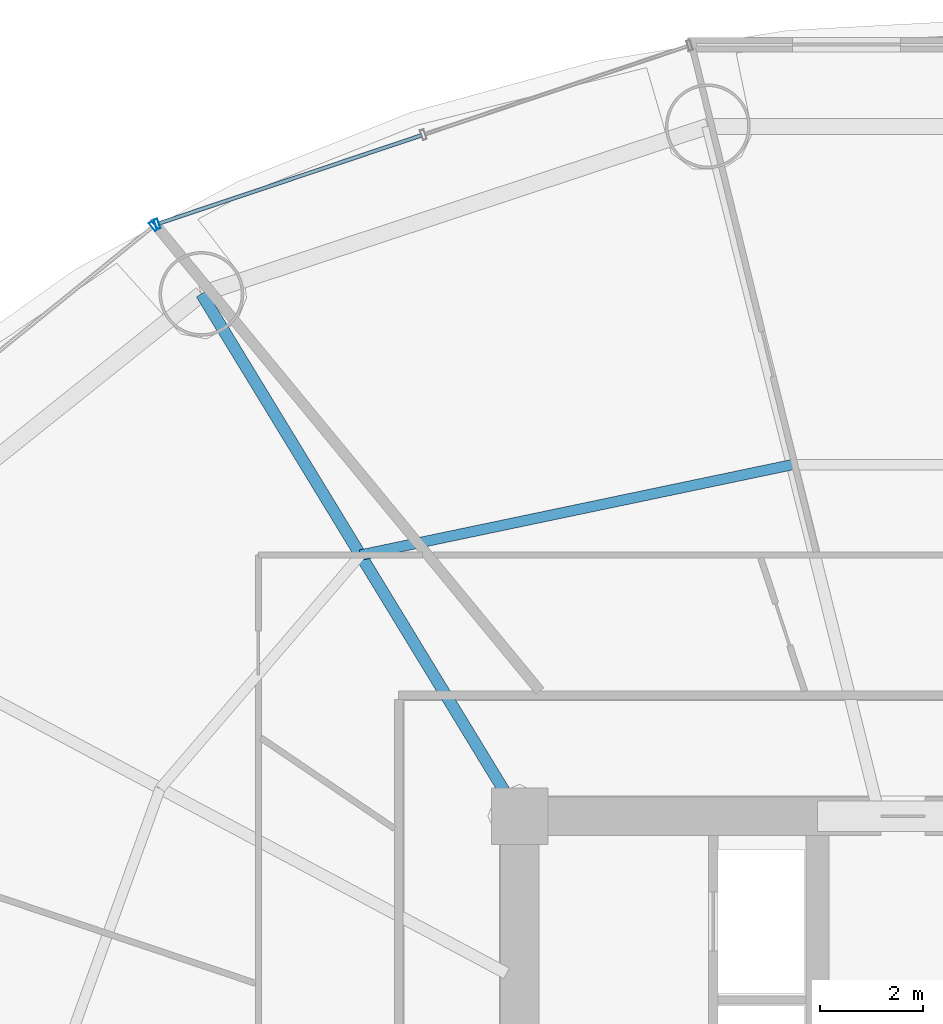
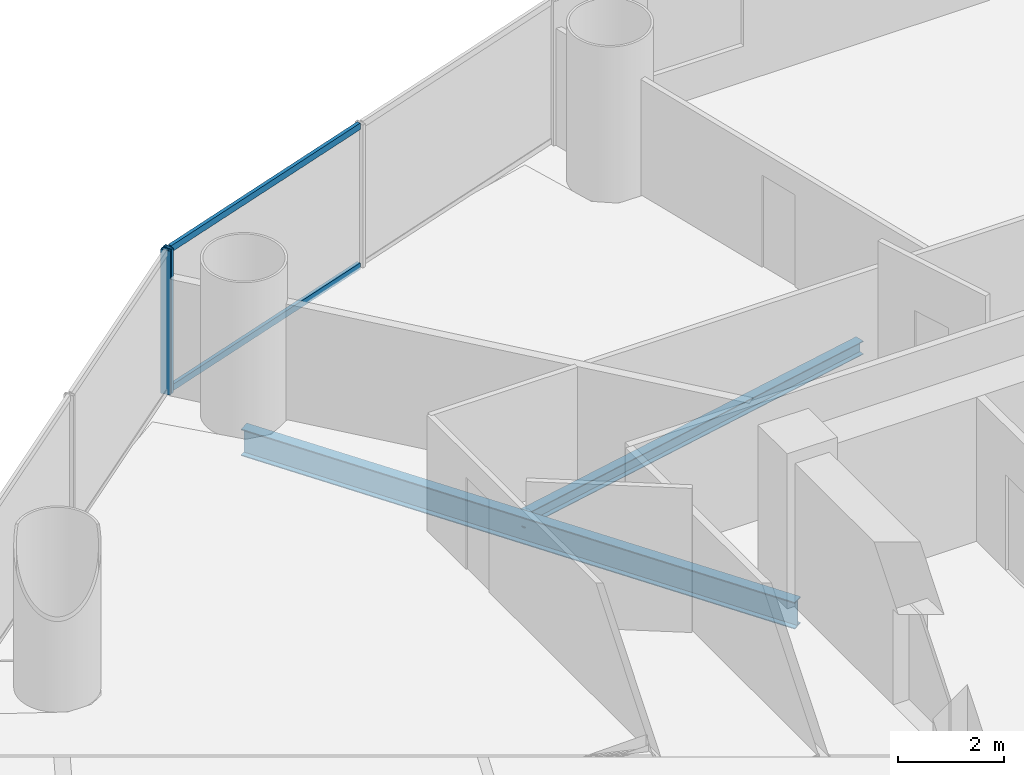
# One storey, part 14 of 28: 4 members, 2 beams, 2 elements without a shape of their own.
"""IFC4 building model written with IfcOpenShell, lengths in metres."""

from ifc_helpers import new_model, si_unit, direction, frame, origin, origin_2d, place, context, subcontext, project, spatial, hollow_rectangle, i_section, extrude, source, transform, mapped, material, material_profile, profile_set, type_object, element, aggregate, save


model = new_model("IFC4")

# Units and contexts
model_context = context("Model", 3, precision=1e-05, world=origin(), true_north=direction((-0.2419218956, 0.970295726276)))
body_context = subcontext(model_context, "Body", "Model", "MODEL_VIEW")
ifc_project = project(units=[si_unit("LENGTHUNIT", "METRE"), si_unit("AREAUNIT", "SQUARE_METRE"), si_unit("VOLUMEUNIT", "CUBIC_METRE"), si_unit("PLANEANGLEUNIT", "RADIAN"), si_unit("MASSUNIT", "GRAM", prefix="KILO")], contexts=[model_context])

# Site, building, storey
site_placement = place(None, origin())
site = spatial("IfcSite", under=ifc_project, at=site_placement, CompositionType="ELEMENT")
building_placement = place(site_placement, origin())
building = spatial("IfcBuilding", under=site, at=building_placement, Name="Cobrevalo Terracotta Tower", CompositionType="ELEMENT")
storey_placement = place(building_placement, frame((0.0, 0.0, 42.0)))
storey = spatial("IfcBuildingStorey", under=building, at=storey_placement, Name="L10", CompositionType="ELEMENT", Elevation=42.0)

# Beams
ifc_material_1 = material(Name="Steel S355", Category="steel")
ifc_material_profile_1 = material_profile(ifc_material_1, i_section(OverallWidth=0.22998046875, OverallDepth=0.616943359375, WebThickness=0.01318359375, FlangeThickness=0.022216796875, at=origin_2d()), Name="W 610x140")
ifc_profile_set_1 = profile_set([ifc_material_profile_1], Name="Steel S355")
beam_type_1 = type_object("IfcBeamType", Name="Structural Beam W 610x140 (Steel S355)", PredefinedType="BEAM", material=ifc_profile_set_1)
beam_1_placement = place(storey_placement, frame((22.80517578125, 44.967529296875, -0.58837890625), z_axis=(0.520309892051, -0.853977526773, 0.0), x_axis=(0.853977526773, 0.520309892051, 0.0)))
element("IfcBeam", 1, at=beam_1_placement, inside=storey, type_object=beam_type_1, Name="L10 radial floor girder 06", PredefinedType="BEAM", context=body_context, shape_type="SweptSolid", body=[
    extrude(i_section(OverallWidth=0.22998046875, OverallDepth=0.616943359375, WebThickness=0.01318359375, FlangeThickness=0.022216796875, at=origin_2d()), origin(), (0.0, 0.0, 1.0), 11.906005859375),
])
ifc_material_profile_2 = material_profile(ifc_material_1, i_section(OverallWidth=0.2041015625, OverallDepth=0.305908203125, WebThickness=0.008544921875, FlangeThickness=0.0146484375, at=origin_2d()), Name="W 310x67")
ifc_profile_set_2 = profile_set([ifc_material_profile_2], Name="Steel S355")
beam_type_2 = type_object("IfcBeamType", Name="Structural Joist W 310x67 (Steel S355)", PredefinedType="JOIST", material=ifc_profile_set_2)
beam_2_placement = place(storey_placement, frame((34.304443359375, 41.642578125, -0.43310546875), z_axis=(-0.978784523904, -0.204892302848, 0.0), x_axis=(0.204892302848, -0.978784523904, 0.0)))
element("IfcBeam", 2, at=beam_2_placement, inside=storey, type_object=beam_type_2, Name="L10 circumferential secondary floor joist 05", PredefinedType="JOIST", context=body_context, shape_type="SweptSolid", body=[
    extrude(i_section(OverallWidth=0.2041015625, OverallDepth=0.305908203125, WebThickness=0.008544921875, FlangeThickness=0.0146484375, at=origin_2d()), origin(), (0.0, 0.0, 1.0), 8.583984375),
])

# Curtain wall, member
ifc_material_2 = material(Name="Anodized aluminium", Category="aluminium")
curtain_wall_type = type_object("IfcCurtainWallType", Name="Lower-tower unitised acoustic low-E curtain wall CW-U1", PredefinedType="NOTDEFINED", material=ifc_material_2)
curtain_wall_1_placement = place(storey_placement, origin())
curtain_wall_1 = element("IfcCurtainWall", 3, at=curtain_wall_1_placement, inside=storey, type_object=curtain_wall_type, Name="L10 curtain wall CW-L10-S05", PredefinedType="NOTDEFINED")
ifc_material_profile_3 = material_profile(ifc_material_2, hollow_rectangle(XDim=0.074951171875, YDim=0.199951171875, WallThickness=0.0048828125, at=origin_2d()), Name="CWM 75x200")
ifc_profile_set_3 = profile_set([ifc_material_profile_3], Name="Anodized aluminium")
member_type_1 = type_object("IfcMemberType", Name="Lower/mid tower unitised mullion 75x200", PredefinedType="MULLION", material=ifc_profile_set_3)
shared_shape_1 = source(origin(), body_context, "Body", "SweptSolid", [
    extrude(hollow_rectangle(XDim=0.074951171875, YDim=0.199951171875, WallThickness=0.0048828125, at=origin_2d()), origin(), (0.0, 0.0, 1.0), 3.320068359375),
])
member_1_placement = place(storey_placement, frame((21.943115234375, 46.327392578125, 0.0), z_axis=(0.0, 0.0, 1.0), x_axis=(-0.948046393597, -0.318132103987, 0.0)))
member_1 = element("IfcMember", 4, at=member_1_placement, type_object=member_type_1, Name="CW-L10-S05 vertical mullion 03", PredefinedType="MULLION", context=body_context, shape_type="MappedRepresentation", body=[
    mapped(shared_shape_1, transform((0.0, 0.0, 0.0), scale=1.0)),
])

curtain_wall_2_placement = place(storey_placement, origin())
curtain_wall_2 = element("IfcCurtainWall", 5, at=curtain_wall_2_placement, inside=storey, type_object=curtain_wall_type, Name="L10 curtain wall CW-L10-S06", PredefinedType="NOTDEFINED")
member_2_placement = place(storey_placement, frame((21.8740234375, 46.289306640625, 0.0), z_axis=(0.0, 0.0, 1.0), x_axis=(-0.777003153187, -0.629496703675, 0.0)))
member_2 = element("IfcMember", 6, at=member_2_placement, type_object=member_type_1, Name="CW-L10-S06 vertical mullion 01", PredefinedType="MULLION", context=body_context, shape_type="MappedRepresentation", body=[
    mapped(shared_shape_1, transform((0.0, 0.0, 0.0), scale=1.0)),
])
aggregate(curtain_wall_2, [member_2])

# Member
ifc_material_profile_4 = material_profile(ifc_material_2, hollow_rectangle(XDim=0.074951171875, YDim=0.14990234375, WallThickness=0.00439453125, at=origin_2d()), Name="CWT 75x150")
ifc_profile_set_4 = profile_set([ifc_material_profile_4], Name="Anodized aluminium")
member_type_2 = type_object("IfcMemberType", Name="Tower unitised aluminium transom 75x150", PredefinedType="USERDEFINED", material=ifc_profile_set_4)
shared_shape_2 = source(origin(), body_context, "Body", "SweptSolid", [
    extrude(hollow_rectangle(XDim=0.074951171875, YDim=0.14990234375, WallThickness=0.00439453125, at=origin_2d()), origin(), (0.0, 0.0, 1.0), 5.387939453125),
])
member_3_placement = place(storey_placement, frame((27.0888671875, 48.05419921875, 0.050048828125), z_axis=(-0.94804244582, -0.318143868278, 0.0), x_axis=(0.318143868278, -0.94804244582, 0.0)))
member_3 = element("IfcMember", 7, at=member_3_placement, type_object=member_type_2, Name="CW-L10-S05 transom B02-T1", ObjectType="TRANSOM", PredefinedType="USERDEFINED", context=body_context, shape_type="MappedRepresentation", body=[
    mapped(shared_shape_2, transform((0.0, 0.0, 0.0), scale=1.0)),
])

member_4_placement = place(storey_placement, frame((27.0888671875, 48.05419921875, 3.27001953125), z_axis=(-0.94804244582, -0.318143868278, 0.0), x_axis=(0.318143868278, -0.94804244582, 0.0)))
member_4 = element("IfcMember", 8, at=member_4_placement, type_object=member_type_2, Name="CW-L10-S05 transom B02-T2", ObjectType="TRANSOM", PredefinedType="USERDEFINED", context=body_context, shape_type="MappedRepresentation", body=[
    mapped(shared_shape_2, transform((0.0, 0.0, 0.0), scale=1.0)),
])

aggregate(curtain_wall_1, [member_1, member_3, member_4])

save(model, "model.ifc")
